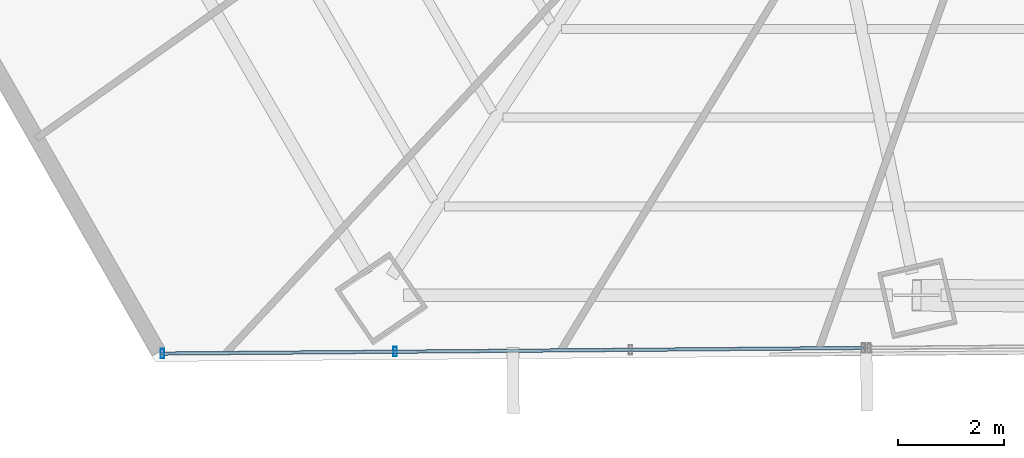
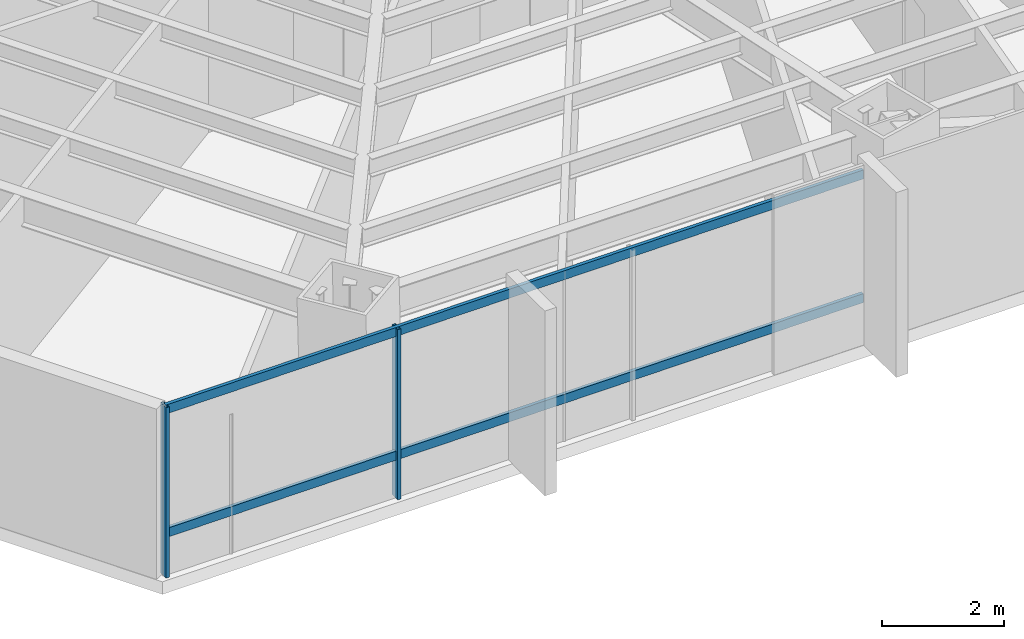
# One storey, part 4 of 38: 4 members, 1 element without a shape of its own.
"""IFC4 building model written with IfcOpenShell, lengths in metres."""

from ifc_helpers import new_model, si_unit, direction, frame, origin, origin_2d, place, context, subcontext, project, spatial, hollow_rectangle, extrude, source, transform, mapped, material, material_profile, profile_set, type_object, type_shapes, element, aggregate, save


model = new_model("IFC4")

# Units and contexts
model_context = context("Model", 3, precision=1e-05, world=origin(), true_north=direction((0.0, 1.0)))
body_context = subcontext(model_context, "Body", "Model", "MODEL_VIEW")
ifc_project = project(units=[si_unit("LENGTHUNIT", "METRE"), si_unit("AREAUNIT", "SQUARE_METRE"), si_unit("VOLUMEUNIT", "CUBIC_METRE"), si_unit("PLANEANGLEUNIT", "RADIAN"), si_unit("MASSUNIT", "GRAM", prefix="KILO")], contexts=[model_context])

# Site, building, storey
site_placement = place(None, origin())
site = spatial("IfcSite", under=ifc_project, at=site_placement, CompositionType="ELEMENT")
building_placement = place(site_placement, origin())
building = spatial("IfcBuilding", under=site, at=building_placement, Name="Caelisora Broadcast Tower", CompositionType="ELEMENT")
storey_placement = place(building_placement, frame((0.0, 0.0, 67.75)))
storey = spatial("IfcBuildingStorey", under=building, at=storey_placement, Name="L17", CompositionType="ELEMENT", Elevation=67.75)

# Curtain wall, members
ifc_material_1 = material(Name="Unitised Aluminium and Low-E Glass Curtain Wall", Category="glass")
curtain_wall_type = type_object("IfcCurtainWallType", Name="CW-Z1", PredefinedType="NOTDEFINED", material=ifc_material_1)
curtain_wall_placement = place(storey_placement, origin())
curtain_wall = element("IfcCurtainWall", 1, at=curtain_wall_placement, inside=storey, type_object=curtain_wall_type, Name="L17 curtain wall CW-Z1", PredefinedType="NOTDEFINED")
ifc_material_2 = material(Name="Aluminium 6063-T6 Anodised Terracotta Bronze", Category="aluminium")
ifc_material_profile_1 = material_profile(ifc_material_2, hollow_rectangle(XDim=0.06494140625, YDim=0.179931640625, WallThickness=0.00341796875, at=origin_2d()), Name="Aluminium 6063-T6 Anodised Terracotta Bronze")
ifc_profile_set_1 = profile_set([ifc_material_profile_1], Name="Aluminium 6063-T6 Anodised Terracotta Bronze")
member_type_1 = type_object("IfcMemberType", Name="CWM-02", PredefinedType="MULLION", material=ifc_profile_set_1)
shared_shape_1 = source(origin(), body_context, "Body", "SweptSolid", [
    extrude(hollow_rectangle(XDim=0.06494140625, YDim=0.179931640625, WallThickness=0.00341796875, at=origin_2d()), origin(), (0.0, 0.0, 1.0), 3.39990234375),
])
type_shapes(member_type_1, [shared_shape_1])
member_1_placement = place(storey_placement, frame((23.08056640625, 4.6015625, 0.0), z_axis=(0.0, 0.0, 1.0), x_axis=(1.0, 0.0, 0.0)))
member_1 = element("IfcMember", 2, at=member_1_placement, type_object=member_type_1, Name="L17-CW-B07 mullion #2", PredefinedType="MULLION", context=body_context, shape_type="MappedRepresentation", body=[
    mapped(shared_shape_1, transform((0.0, 0.0, 0.0), scale=1.0)),
])
member_2_placement = place(storey_placement, frame((18.68603515625, 4.56640625, 0.0), z_axis=(0.0, 0.0, 1.0), x_axis=(1.0, 0.0, 0.0)))
member_2 = element("IfcMember", 3, at=member_2_placement, type_object=member_type_1, Name="L17-CW-B07 mullion #3", PredefinedType="MULLION", context=body_context, shape_type="MappedRepresentation", body=[
    mapped(shared_shape_1, transform((0.0, 0.0, 0.0), scale=1.0)),
])
ifc_material_profile_2 = material_profile(ifc_material_2, hollow_rectangle(XDim=0.06494140625, YDim=0.179931640625, WallThickness=0.00341796875, at=origin_2d()), Name="Aluminium 6063-T6 Anodised Terracotta Bronze")
ifc_profile_set_2 = profile_set([ifc_material_profile_2], Name="Aluminium 6063-T6 Anodised Terracotta Bronze")
member_type_2 = type_object("IfcMemberType", Name="CWT-01", PredefinedType="USERDEFINED", material=ifc_profile_set_2)
shared_shape_2 = source(origin(), body_context, "Body", "SweptSolid", [
    extrude(hollow_rectangle(XDim=0.06494140625, YDim=0.179931640625, WallThickness=0.00341796875, at=origin_2d()), origin(), (0.0, 0.0, 1.0), 13.234130859375),
])
type_shapes(member_type_2, [shared_shape_2])
member_3_placement = place(storey_placement, frame((31.919677734375, 4.67236328125, 0.85009765625), z_axis=(-0.999967948387, -0.008006384828, 0.0), x_axis=(0.008006384828, -0.999967948387, 0.0)))
member_3 = element("IfcMember", 4, at=member_3_placement, type_object=member_type_2, Name="L17-CW-B07 transom #1", ObjectType="TRANSOM", PredefinedType="USERDEFINED", context=body_context, shape_type="MappedRepresentation", body=[
    mapped(shared_shape_2, transform((0.0, 0.0, 0.0), scale=1.0)),
])
member_4_placement = place(storey_placement, frame((31.919677734375, 4.67236328125, 3.320068359375), z_axis=(-0.999967948387, -0.008006384828, 0.0), x_axis=(0.008006384828, -0.999967948387, 0.0)))
member_4 = element("IfcMember", 5, at=member_4_placement, type_object=member_type_2, Name="L17-CW-B07 transom #2", ObjectType="TRANSOM", PredefinedType="USERDEFINED", context=body_context, shape_type="MappedRepresentation", body=[
    mapped(shared_shape_2, transform((0.0, 0.0, 0.0), scale=1.0)),
])
aggregate(curtain_wall, [member_1, member_2, member_3, member_4])

save(model, "model.ifc")
